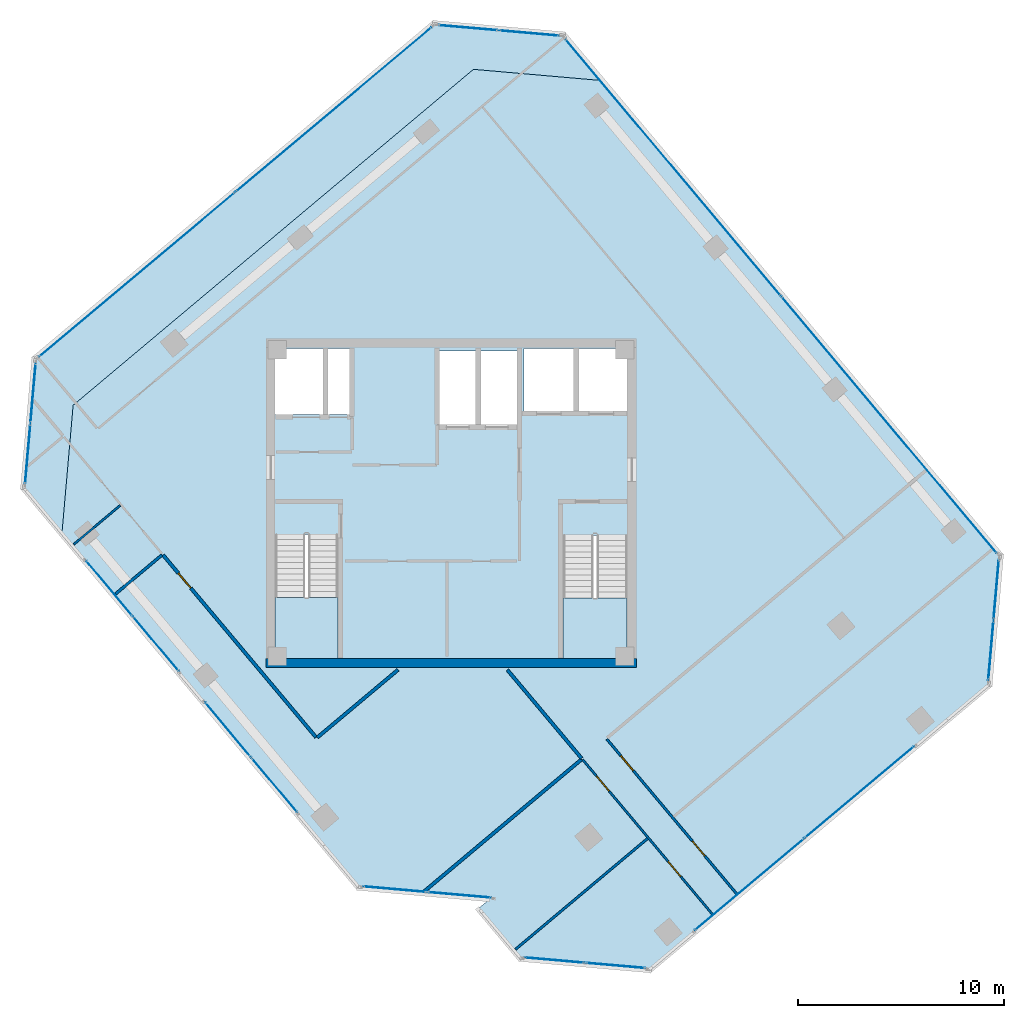
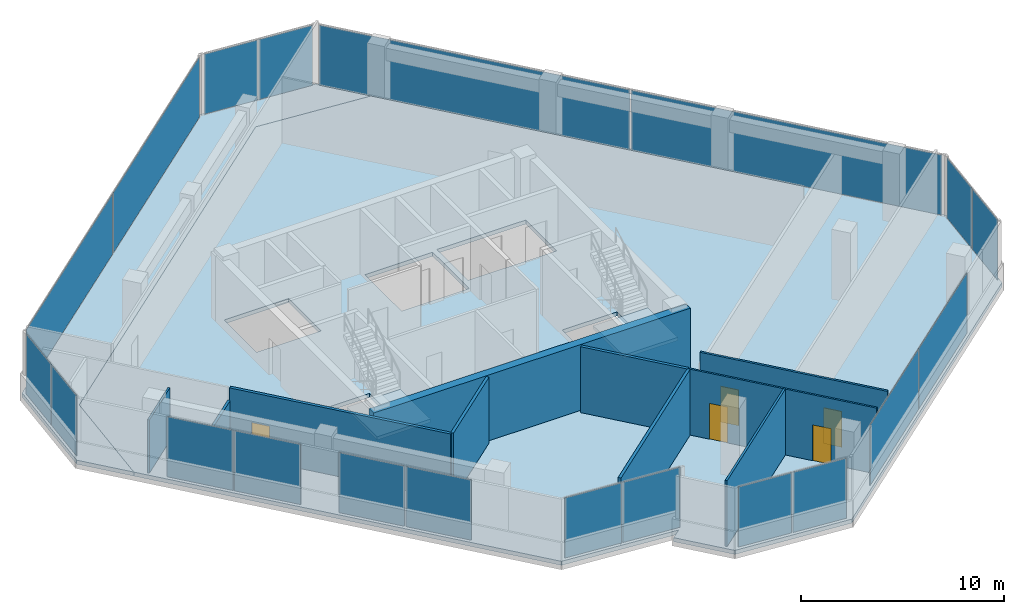
# One storey, part 12 of 17: 20 plates, 10 walls, 5 doors, 4 slabs, 5 openings, 12 elements without a shape of their own.
"""IFC4 building model written with IfcOpenShell, lengths in metres."""

from ifc_helpers import new_model, si_unit, direction, frame, frame_2d, origin, origin_2d, place, context, subcontext, project, spatial, polyline, rectangle, outline, extrude, source, transform, mapped, material, layer, layer_set, type_object, element, fill, aggregate, save


model = new_model("IFC4")

# Units and contexts
model_context = context("Model", 3, precision=1e-05, world=origin(), true_north=direction((0.0, 1.0)))
body_context = subcontext(model_context, "Body", "Model", "MODEL_VIEW")
ifc_project = project(units=[si_unit("LENGTHUNIT", "METRE"), si_unit("AREAUNIT", "SQUARE_METRE"), si_unit("VOLUMEUNIT", "CUBIC_METRE"), si_unit("PLANEANGLEUNIT", "RADIAN"), si_unit("MASSUNIT", "GRAM", prefix="KILO")], contexts=[model_context])

# Site, building, storey
site_placement = place(None, origin())
site = spatial("IfcSite", under=ifc_project, at=site_placement, CompositionType="ELEMENT")
building_placement = place(site_placement, origin())
building = spatial("IfcBuilding", under=site, at=building_placement, Name="Torre Montelarca", CompositionType="ELEMENT")
storey_placement = place(building_placement, frame((0.0, 0.0, 271.0)))
storey = spatial("IfcBuildingStorey", under=building, at=storey_placement, Name="L61", CompositionType="ELEMENT", Elevation=271.0)

# Slabs
ifc_material_1 = material(Name="Concrete C40/50", Category="concrete")
ifc_layer_1 = layer(ifc_material_1, 0.239990234375, Name="Concrete C40/50", Category="concrete")
ifc_layer_set_1 = layer_set([ifc_layer_1], Name="Concrete C40/50")
slab_type_1 = type_object("IfcSlabType", Name="SL-FLR-240", PredefinedType="FLOOR", material=ifc_layer_set_1)
slab_1_placement = place(storey_placement, frame((0.0, 0.0, -0.239990234375)))
element("IfcSlab", 1, at=slab_1_placement, inside=storey, type_object=slab_type_1, Name="L61 Structural Floor Slab", PredefinedType="FLOOR", context=body_context, shape_type="SweptSolid", body=[
    extrude(outline(polyline([(13.4716796875, 13.253662109375), (19.811279296875, 12.698974609375), (19.275146484375, 12.2490234375), (21.33203125, 9.797607421875), (27.671875, 9.2431640625), (44.218505859375, 23.127197265625), (44.77294921875, 29.467041015625), (25.425048828125, 52.52490234375), (19.08544921875, 53.07958984375), (-0.3720703125, 36.752685546875), (-0.9267578125, 30.4130859375), (13.4716796875, 13.253662109375)]), holes=[polyline([(26.550048828125, 24.449951171875), (23.43994140625, 24.449951171875), (23.43994140625, 30.429931640625), (26.550048828125, 30.429931640625), (26.550048828125, 24.449951171875)]), polyline([(12.5, 24.449951171875), (9.449951171875, 24.449951171875), (9.449951171875, 30.4599609375), (12.5, 30.4599609375), (12.5, 24.449951171875)]), polyline([(21.25, 39.39990234375), (21.25, 35.800048828125), (17.39990234375, 35.800048828125), (17.39990234375, 39.39990234375), (21.25, 39.39990234375)]), polyline([(13.1201171875, 36.300048828125), (9.449951171875, 36.300048828125), (9.449951171875, 39.5), (13.1201171875, 39.5), (13.1201171875, 36.300048828125)]), polyline([(26.60009765625, 36.449951171875), (21.550048828125, 36.449951171875), (21.550048828125, 39.5), (26.60009765625, 39.5), (26.60009765625, 36.449951171875)])]), origin(), (0.0, 0.0, 1.0), 0.239990234375),
])
slab_2_placement = place(storey_placement, frame((0.0, 0.0, -0.239990234375)))
element("IfcSlab", 2, at=slab_2_placement, inside=storey, type_object=slab_type_1, Name="L61 Sliding Tray Winter Garden Floor Slab W1", PredefinedType="FLOOR", context=body_context, shape_type="SweptSolid", body=[
    extrude(outline(polyline([(-0.9267578125, 30.4130859375), (-0.3720703125, 36.752685546875), (19.08544921875, 53.07958984375), (25.425048828125, 52.52490234375), (23.496826171875, 54.822998046875), (17.156982421875, 55.377685546875), (-2.300537109375, 39.05078125), (-2.855224609375, 32.711181640625), (-0.9267578125, 30.4130859375)])), origin(), (0.0, 0.0, 1.0), 0.239990234375),
])

# Stair, slab
stair_type_1 = type_object("IfcStairType", Name="ST-CORE-ST1", PredefinedType="HALF_TURN_STAIR", material=ifc_material_1)
stair_1_placement = place(storey_placement, origin())
stair_1 = element("IfcStair", 3, at=stair_1_placement, inside=storey, type_object=stair_type_1, Name="L61 Protected Exit Stair ST1", PredefinedType="HALF_TURN_STAIR")
ifc_layer_2 = layer(ifc_material_1, 0.199951171875, Name="Concrete C40/50", Category="concrete")
ifc_layer_set_2 = layer_set([ifc_layer_2], Name="Concrete C40/50")
slab_type_2 = type_object("IfcSlabType", Name="SL-ST-LAND-ST1", PredefinedType="LANDING", material=ifc_layer_set_2)
slab_3_placement = place(storey_placement, frame((0.0, 0.0, 1.89990234375)))
slab_3 = element("IfcSlab", 4, at=slab_3_placement, type_object=slab_type_2, Name="ST1 landing 1", PredefinedType="LANDING", context=body_context, shape_type="SweptSolid", body=[
    extrude(outline(polyline([(9.449951171875, 27.419921875), (9.449951171875, 24.449951171875), (12.5, 24.449951171875), (12.5, 27.419921875), (9.449951171875, 27.419921875)])), origin(), (0.0, 0.0, 1.0), 0.2001953125),
])
aggregate(stair_1, [slab_3])

stair_type_2 = type_object("IfcStairType", Name="ST-CORE-ST2", PredefinedType="HALF_TURN_STAIR", material=ifc_material_1)
stair_2_placement = place(storey_placement, origin())
stair_2 = element("IfcStair", 5, at=stair_2_placement, inside=storey, type_object=stair_type_2, Name="L61 Protected Exit Stair ST2", PredefinedType="HALF_TURN_STAIR")
ifc_layer_3 = layer(ifc_material_1, 0.199951171875, Name="Concrete C40/50", Category="concrete")
ifc_layer_set_3 = layer_set([ifc_layer_3], Name="Concrete C40/50")
slab_type_3 = type_object("IfcSlabType", Name="SL-ST-LAND-ST2", PredefinedType="LANDING", material=ifc_layer_set_3)
slab_4_placement = place(storey_placement, frame((0.0, 0.0, 1.89990234375)))
slab_4 = element("IfcSlab", 6, at=slab_4_placement, type_object=slab_type_3, Name="ST2 landing 1", PredefinedType="LANDING", context=body_context, shape_type="SweptSolid", body=[
    extrude(outline(polyline([(23.43994140625, 27.389892578125), (23.43994140625, 24.449951171875), (26.550048828125, 24.449951171875), (26.550048828125, 27.389892578125), (23.43994140625, 27.389892578125)])), origin(), (0.0, 0.0, 1.0), 0.2001953125),
])
aggregate(stair_2, [slab_4])

# Curtain wall, plates
ifc_material_2 = material(Name="Insulated low-E laminated glass", Category="glass")
curtain_wall_type = type_object("IfcCurtainWallType", Name="CW-SYS-Z3", PredefinedType="USERDEFINED", material=ifc_material_2)
curtain_wall_1_placement = place(storey_placement, origin())
curtain_wall_1 = element("IfcCurtainWall", 7, at=curtain_wall_1_placement, inside=storey, type_object=curtain_wall_type, Name="L61 Curtain Wall Run CW-T3-L61-E02-B1", ObjectType="UNITISED GLAZING", PredefinedType="USERDEFINED")
ifc_layer_4 = layer(ifc_material_2, 0.031982421875, Name="Insulated low-E laminated glass", Category="glass")
ifc_layer_set_4 = layer_set([ifc_layer_4], Name="Insulated low-E laminated glass")
plate_type = type_object("IfcPlateType", Name="CWP-GLZ-32", PredefinedType="CURTAIN_PANEL", material=ifc_layer_set_4)
shared_shape_1 = source(origin(), body_context, "Body", "SweptSolid", [
    extrude(rectangle(XDim=3.08740234375, YDim=0.031982421875, at=origin_2d()), origin(), (0.0, 0.0, 1.0), 3.610107421875),
])
plate_1_placement = place(storey_placement, frame((15.2607421875, 13.227783203125, 0.05517578125), z_axis=(0.0, 0.0, 1.0), x_axis=(0.996193123861, -0.087173734413, 0.0)))
plate_1 = element("IfcPlate", 8, at=plate_1_placement, type_object=plate_type, Name="CW panel 1.1", PredefinedType="CURTAIN_PANEL", context=body_context, shape_type="MappedRepresentation", body=[
    mapped(shared_shape_1, transform((0.0, 0.0, 0.0), scale=1.0)),
])
plate_2_placement = place(storey_placement, frame((18.4111328125, 12.951904296875, 0.05517578125), z_axis=(0.0, 0.0, 1.0), x_axis=(0.996193123861, -0.087173734413, 0.0)))
plate_2 = element("IfcPlate", 9, at=plate_2_placement, type_object=plate_type, Name="CW panel 2.1", PredefinedType="CURTAIN_PANEL", context=body_context, shape_type="MappedRepresentation", body=[
    mapped(shared_shape_1, transform((0.0, 0.0, 0.0), scale=1.0)),
])
aggregate(curtain_wall_1, [plate_1, plate_2])

curtain_wall_2_placement = place(storey_placement, origin())
curtain_wall_2 = element("IfcCurtainWall", 10, at=curtain_wall_2_placement, inside=storey, type_object=curtain_wall_type, Name="L61 Curtain Wall Run CW-T3-L61-E05-B1", ObjectType="UNITISED GLAZING", PredefinedType="USERDEFINED")
shared_shape_2 = source(origin(), body_context, "Body", "SweptSolid", [
    extrude(rectangle(XDim=2.903564453125, YDim=0.031982421875, at=origin_2d()), origin(), (0.0, 0.0, 1.0), 3.610107421875),
])
plate_3_placement = place(storey_placement, frame((23.02978515625, 9.77978515625, 0.05517578125), z_axis=(0.0, 0.0, 1.0), x_axis=(0.996193789473, -0.087166127681, 0.0)))
plate_3 = element("IfcPlate", 11, at=plate_3_placement, type_object=plate_type, Name="CW panel 1.1", PredefinedType="CURTAIN_PANEL", context=body_context, shape_type="MappedRepresentation", body=[
    mapped(shared_shape_2, transform((0.0, 0.0, 0.0), scale=1.0)),
])
plate_4_placement = place(storey_placement, frame((25.996826171875, 9.52001953125, 0.05517578125), z_axis=(0.0, 0.0, 1.0), x_axis=(0.996193789473, -0.087166127681, 0.0)))
plate_4 = element("IfcPlate", 12, at=plate_4_placement, type_object=plate_type, Name="CW panel 2.1", PredefinedType="CURTAIN_PANEL", context=body_context, shape_type="MappedRepresentation", body=[
    mapped(shared_shape_2, transform((0.0, 0.0, 0.0), scale=1.0)),
])
aggregate(curtain_wall_2, [plate_3, plate_4])

curtain_wall_3_placement = place(storey_placement, origin())
curtain_wall_3 = element("IfcCurtainWall", 13, at=curtain_wall_3_placement, inside=storey, type_object=curtain_wall_type, Name="L61 Curtain Wall Run CW-T3-L61-E07-B1", ObjectType="UNITISED GLAZING", PredefinedType="USERDEFINED")
plate_5_placement = place(storey_placement, frame((44.236328125, 24.824951171875, 0.05517578125), z_axis=(0.0, 0.0, 1.0), x_axis=(0.087166127681, 0.996193789473, 0.0)))
plate_5 = element("IfcPlate", 14, at=plate_5_placement, type_object=plate_type, Name="CW panel 1.1", PredefinedType="CURTAIN_PANEL", context=body_context, shape_type="MappedRepresentation", body=[
    mapped(shared_shape_2, transform((0.0, 0.0, 0.0), scale=1.0)),
])
plate_6_placement = place(storey_placement, frame((44.49609375, 27.792236328125, 0.05517578125), z_axis=(0.0, 0.0, 1.0), x_axis=(0.087166127681, 0.996193789473, 0.0)))
plate_6 = element("IfcPlate", 15, at=plate_6_placement, type_object=plate_type, Name="CW panel 2.1", PredefinedType="CURTAIN_PANEL", context=body_context, shape_type="MappedRepresentation", body=[
    mapped(shared_shape_2, transform((0.0, 0.0, 0.0), scale=1.0)),
])
aggregate(curtain_wall_3, [plate_5, plate_6])

curtain_wall_4_placement = place(storey_placement, origin())
curtain_wall_4 = element("IfcCurtainWall", 16, at=curtain_wall_4_placement, inside=storey, type_object=curtain_wall_type, Name="L61 Curtain Wall Run CW-T3-L61-E09-B1", ObjectType="UNITISED GLAZING", PredefinedType="USERDEFINED")
plate_7_placement = place(storey_placement, frame((21.79931640625, 54.841064453125, 0.05517578125), z_axis=(0.0, 0.0, 1.0), x_axis=(-0.996193915427, 0.087164688188, 0.0)))
plate_7 = element("IfcPlate", 17, at=plate_7_placement, type_object=plate_type, Name="CW panel 1.1", PredefinedType="CURTAIN_PANEL", context=body_context, shape_type="MappedRepresentation", body=[
    mapped(shared_shape_2, transform((0.0, 0.0, 0.0), scale=1.0)),
])
plate_8_placement = place(storey_placement, frame((18.831787109375, 55.100830078125, 0.05517578125), z_axis=(0.0, 0.0, 1.0), x_axis=(-0.996193915427, 0.087164688188, 0.0)))
plate_8 = element("IfcPlate", 18, at=plate_8_placement, type_object=plate_type, Name="CW panel 2.1", PredefinedType="CURTAIN_PANEL", context=body_context, shape_type="MappedRepresentation", body=[
    mapped(shared_shape_2, transform((0.0, 0.0, 0.0), scale=1.0)),
])
aggregate(curtain_wall_4, [plate_7, plate_8])

curtain_wall_5_placement = place(storey_placement, origin())
curtain_wall_5 = element("IfcCurtainWall", 19, at=curtain_wall_5_placement, inside=storey, type_object=curtain_wall_type, Name="L61 Curtain Wall Run CW-T3-L61-E11-B1", ObjectType="UNITISED GLAZING", PredefinedType="USERDEFINED")
plate_9_placement = place(storey_placement, frame((-2.318603515625, 37.353271484375, 0.05517578125), z_axis=(0.0, 0.0, 1.0), x_axis=(-0.087182579501, -0.996192349816, 0.0)))
plate_9 = element("IfcPlate", 20, at=plate_9_placement, type_object=plate_type, Name="CW panel 1.1", PredefinedType="CURTAIN_PANEL", context=body_context, shape_type="MappedRepresentation", body=[
    mapped(shared_shape_2, transform((0.0, 0.0, 0.0), scale=1.0)),
])
plate_10_placement = place(storey_placement, frame((-2.578125, 34.385986328125, 0.05517578125), z_axis=(0.0, 0.0, 1.0), x_axis=(-0.087182579501, -0.996192349816, 0.0)))
plate_10 = element("IfcPlate", 21, at=plate_10_placement, type_object=plate_type, Name="CW panel 2.1", PredefinedType="CURTAIN_PANEL", context=body_context, shape_type="MappedRepresentation", body=[
    mapped(shared_shape_2, transform((0.0, 0.0, 0.0), scale=1.0)),
])
aggregate(curtain_wall_5, [plate_9, plate_10])

curtain_wall_6_placement = place(storey_placement, origin())
curtain_wall_6 = element("IfcCurtainWall", 22, at=curtain_wall_6_placement, inside=storey, type_object=curtain_wall_type, Name="L61 Curtain Wall Run CW-T3-L61-E10-B1", ObjectType="UNITISED GLAZING", PredefinedType="USERDEFINED")
shared_shape_3 = source(origin(), body_context, "Body", "SweptSolid", [
    extrude(rectangle(XDim=12.421630859375, YDim=0.031982421875, at=origin_2d()), origin(), (0.0, 0.0, 1.0), 3.610107421875),
])
plate_11_placement = place(storey_placement, frame((12.29833984375, 51.131103515625, 0.05517578125), z_axis=(0.0, 0.0, 1.0), x_axis=(-0.766043772472, -0.642788408931, 0.0)))
plate_11 = element("IfcPlate", 23, at=plate_11_placement, type_object=plate_type, Name="CW panel 1.1", PredefinedType="CURTAIN_PANEL", context=body_context, shape_type="MappedRepresentation", body=[
    mapped(shared_shape_3, transform((0.0, 0.0, 0.0), scale=1.0)),
])
plate_12_placement = place(storey_placement, frame((2.725341796875, 43.098388671875, 0.05517578125), z_axis=(0.0, 0.0, 1.0), x_axis=(-0.766043772472, -0.642788408931, 0.0)))
plate_12 = element("IfcPlate", 24, at=plate_12_placement, type_object=plate_type, Name="CW panel 2.1", PredefinedType="CURTAIN_PANEL", context=body_context, shape_type="MappedRepresentation", body=[
    mapped(shared_shape_3, transform((0.0, 0.0, 0.0), scale=1.0)),
])
aggregate(curtain_wall_6, [plate_11, plate_12])

curtain_wall_7_placement = place(storey_placement, origin())
curtain_wall_7 = element("IfcCurtainWall", 25, at=curtain_wall_7_placement, inside=storey, type_object=curtain_wall_type, Name="L61 Curtain Wall Run CW-T3-L61-E01-B1", ObjectType="UNITISED GLAZING", PredefinedType="USERDEFINED")
shared_shape_4 = source(origin(), body_context, "Body", "SweptSolid", [
    extrude(rectangle(XDim=3.45751953125, YDim=0.031982421875, at=origin_2d()), origin(), (0.0, 0.0, 1.0), 3.610107421875),
])
plate_13_placement = place(storey_placement, frame((1.3798828125, 27.8662109375, 0.05517578125), z_axis=(0.0, 0.0, 1.0), x_axis=(0.642791272604, -0.766041369551, 0.0)))
plate_13 = element("IfcPlate", 26, at=plate_13_placement, type_object=plate_type, Name="CW panel 1.1", PredefinedType="CURTAIN_PANEL", context=body_context, shape_type="MappedRepresentation", body=[
    mapped(shared_shape_4, transform((0.0, 0.0, 0.0), scale=1.0)),
])
plate_14_placement = place(storey_placement, frame((3.650634765625, 25.16015625, 0.05517578125), z_axis=(0.0, 0.0, 1.0), x_axis=(0.642791272604, -0.766041369551, 0.0)))
plate_14 = element("IfcPlate", 27, at=plate_14_placement, type_object=plate_type, Name="CW panel 2.1", PredefinedType="CURTAIN_PANEL", context=body_context, shape_type="MappedRepresentation", body=[
    mapped(shared_shape_4, transform((0.0, 0.0, 0.0), scale=1.0)),
])
aggregate(curtain_wall_7, [plate_13, plate_14])

curtain_wall_8_placement = place(storey_placement, origin())
curtain_wall_8 = element("IfcCurtainWall", 28, at=curtain_wall_8_placement, inside=storey, type_object=curtain_wall_type, Name="L61 Curtain Wall Run CW-T3-L61-E06-B1", ObjectType="UNITISED GLAZING", PredefinedType="USERDEFINED")
shared_shape_5 = source(origin(), body_context, "Body", "SweptSolid", [
    extrude(rectangle(XDim=6.907470703125, YDim=0.031982421875, at=origin_2d()), origin(), (0.0, 0.0, 1.0), 3.610107421875),
])
plate_15_placement = place(storey_placement, frame((32.49755859375, 13.462158203125, 0.05517578125), z_axis=(0.0, 0.0, 1.0), x_axis=(0.766043894364, 0.642788263666, 0.0)))
plate_15 = element("IfcPlate", 29, at=plate_15_placement, type_object=plate_type, Name="CW panel 1.1", PredefinedType="CURTAIN_PANEL", context=body_context, shape_type="MappedRepresentation", body=[
    mapped(shared_shape_5, transform((0.0, 0.0, 0.0), scale=1.0)),
])
plate_16_placement = place(storey_placement, frame((37.846435546875, 17.950439453125, 0.05517578125), z_axis=(0.0, 0.0, 1.0), x_axis=(0.766043894364, 0.642788263666, 0.0)))
plate_16 = element("IfcPlate", 30, at=plate_16_placement, type_object=plate_type, Name="CW panel 2.1", PredefinedType="CURTAIN_PANEL", context=body_context, shape_type="MappedRepresentation", body=[
    mapped(shared_shape_5, transform((0.0, 0.0, 0.0), scale=1.0)),
])
aggregate(curtain_wall_8, [plate_15, plate_16])

curtain_wall_9_placement = place(storey_placement, origin())
curtain_wall_9 = element("IfcCurtainWall", 31, at=curtain_wall_9_placement, inside=storey, type_object=curtain_wall_type, Name="L61 Curtain Wall Run CW-T3-L61-E08-B1", ObjectType="UNITISED GLAZING", PredefinedType="USERDEFINED")
shared_shape_6 = source(origin(), body_context, "Body", "SweptSolid", [
    extrude(rectangle(XDim=16.271728515625, YDim=0.031982421875, at=origin_2d()), origin(), (0.0, 0.0, 1.0), 3.610107421875),
])
plate_17_placement = place(storey_placement, frame((39.2890625, 35.80029296875, 0.05517578125), z_axis=(0.0, 0.0, 1.0), x_axis=(-0.642786195969, 0.766045629367, 0.0)))
plate_17 = element("IfcPlate", 32, at=plate_17_placement, type_object=plate_type, Name="CW panel 1.1", PredefinedType="CURTAIN_PANEL", context=body_context, shape_type="MappedRepresentation", body=[
    mapped(shared_shape_6, transform((0.0, 0.0, 0.0), scale=1.0)),
])
plate_18_placement = place(storey_placement, frame((28.781494140625, 48.32275390625, 0.05517578125), z_axis=(0.0, 0.0, 1.0), x_axis=(-0.642786195969, 0.766045629367, 0.0)))
plate_18 = element("IfcPlate", 33, at=plate_18_placement, type_object=plate_type, Name="CW panel 2.1", PredefinedType="CURTAIN_PANEL", context=body_context, shape_type="MappedRepresentation", body=[
    mapped(shared_shape_6, transform((0.0, 0.0, 0.0), scale=1.0)),
])
aggregate(curtain_wall_9, [plate_17, plate_18])

curtain_wall_10_placement = place(storey_placement, origin())
curtain_wall_10 = element("IfcCurtainWall", 34, at=curtain_wall_10_placement, inside=storey, type_object=curtain_wall_type, Name="L61 Curtain Wall Run CW-T3-L61-E01-B2", ObjectType="UNITISED GLAZING", PredefinedType="USERDEFINED")
shared_shape_7 = source(origin(), body_context, "Body", "SweptSolid", [
    extrude(rectangle(XDim=3.432373046875, YDim=0.031982421875, at=origin_2d()), origin(), (0.0, 0.0, 1.0), 3.610107421875),
])
plate_19_placement = place(storey_placement, frame((7.156982421875, 20.9814453125, 0.05517578125), z_axis=(0.0, 0.0, 1.0), x_axis=(0.642794403532, -0.766038742354, 0.0)))
plate_19 = element("IfcPlate", 35, at=plate_19_placement, type_object=plate_type, Name="CW panel 1.1", PredefinedType="CURTAIN_PANEL", context=body_context, shape_type="MappedRepresentation", body=[
    mapped(shared_shape_7, transform((0.0, 0.0, 0.0), scale=1.0)),
])
plate_20_placement = place(storey_placement, frame((9.41162109375, 18.29443359375, 0.05517578125), z_axis=(0.0, 0.0, 1.0), x_axis=(0.642794403532, -0.766038742354, 0.0)))
plate_20 = element("IfcPlate", 36, at=plate_20_placement, type_object=plate_type, Name="CW panel 2.1", PredefinedType="CURTAIN_PANEL", context=body_context, shape_type="MappedRepresentation", body=[
    mapped(shared_shape_7, transform((0.0, 0.0, 0.0), scale=1.0)),
])
aggregate(curtain_wall_10, [plate_19, plate_20])

# Wall
ifc_material_3 = material(Name="Concrete C55/67", Category="concrete")
ifc_layer_5 = layer(ifc_material_3, 0.449951171875, Name="Concrete C55/67", Category="concrete")
ifc_layer_set_5 = layer_set([ifc_layer_5], Name="Concrete C55/67")
wall_type_1 = type_object("IfcWallType", Name="CW-SHEAR-450", PredefinedType="SHEAR", material=ifc_layer_set_5)
wall_1_placement = place(storey_placement, frame((9.0, 24.22509765625, 0.0), z_axis=(0.0, 0.0, 1.0), x_axis=(1.0, 0.0, 0.0)))
element("IfcWall", 37, at=wall_1_placement, inside=storey, type_object=wall_type_1, Name="L61 Core Shear Wall CW-S1", PredefinedType="SHEAR", context=body_context, shape_type="SweptSolid", body=[
    extrude(rectangle(XDim=18.0, YDim=0.449951171875, at=frame_2d((9.0, 0.0))), origin(), (0.0, 0.0, 1.0), 3.9599609375),
])

# Wall, opening, door
ifc_material_4 = material(Name="Gypsum plasterboard on steel stud", Category="steel")
ifc_layer_6 = layer(ifc_material_4, 0.159912109375, Name="Gypsum plasterboard on steel stud", Category="steel")
ifc_layer_set_6 = layer_set([ifc_layer_6], Name="Gypsum plasterboard on steel stud")
wall_type_2 = type_object("IfcWallType", Name="PW-FIRE-160", PredefinedType="PARTITIONING", material=ifc_layer_set_6)
wall_2_placement = place(storey_placement, frame((4.001953125, 29.470703125, 0.0), z_axis=(0.0, 0.0, 1.0), x_axis=(0.642802048813, -0.766032327021, 0.0)))
wall_2 = element("IfcWall", 38, at=wall_2_placement, inside=storey, type_object=wall_type_2, Name="L61 Interior Partition W-L61-SOCCN", PredefinedType="PARTITIONING", context=body_context, shape_type="SweptSolid", body=[
    extrude(rectangle(XDim=11.570068359375, YDim=0.159912109375, at=frame_2d((5.78515625, 0.0))), origin(), (0.0, 0.0, 1.0), 3.9599609375),
])
opening_1_placement = place(wall_2_placement, frame((1.14990234375, 0.0, 0.0)))
opening_1 = element("IfcOpeningElement", 39, at=opening_1_placement, cuts=wall_2, Name="Opening FD-095", PredefinedType="OPENING", context=body_context, shape_type="SweptSolid", body=[
    extrude(rectangle(XDim=0.949951171875, YDim=2.14990234375, at=frame_2d((0.47509765625, 1.074951171875))), frame((0.0, 0.08984375, 0.0), z_axis=(0.0, -1.0, 0.0), x_axis=(1.0, 0.0, 0.0)), (0.0, 0.0, 1.0), 0.179931640625),
])
ifc_material_5 = material(Name="Timber fire-rated room door", Category="wood")
door_type_1 = type_object("IfcDoorType", Name="DR-FIRE-095", OperationType="NOTDEFINED", PredefinedType="DOOR", material=ifc_material_5)
shared_shape_8 = source(origin(), body_context, "Body", "SweptSolid", [
    extrude(rectangle(XDim=0.949951171875, YDim=2.14990234375, at=frame_2d((0.47509765625, 1.074951171875))), frame((0.0, 0.02490234375, 0.0), z_axis=(0.0, -1.0, 0.0), x_axis=(1.0, 0.0, 0.0)), (0.0, 0.0, 1.0), 0.050048828125),
])
door_1_placement = place(opening_1_placement, origin())
door_1 = element("IfcDoor", 40, at=door_1_placement, inside=storey, type_object=door_type_1, Name="L61 Interior Door 07", OperationType="SINGLE_SWING_RIGHT", OverallHeight=2.14990234375, OverallWidth=0.949951171875, PredefinedType="DOOR", context=body_context, shape_type="MappedRepresentation", body=[
    mapped(shared_shape_8, transform((0.0, 0.0, 0.0), scale=1.0)),
])
fill(opening_1, door_1)

# Walls
wall_3_placement = place(storey_placement, frame((11.495361328125, 20.602783203125, 0.0), z_axis=(0.0, 0.0, 1.0), x_axis=(0.766059769702, 0.642769343734, 0.0)))
element("IfcWall", 41, at=wall_3_placement, inside=storey, type_object=wall_type_2, Name="L61 Interior Partition W-L61-SOCCW3", PredefinedType="PARTITIONING", context=body_context, shape_type="SweptSolid", body=[
    extrude(rectangle(XDim=5.120849609375, YDim=0.159912109375, at=frame_2d((2.560546875, 0.0))), origin(), (0.0, 0.0, 1.0), 3.9599609375),
])
wall_4_placement = place(storey_placement, frame((20.734375, 23.889404296875, 0.0), z_axis=(0.0, 0.0, 1.0), x_axis=(0.642758145725, -0.766069165353, 0.0)))
element("IfcWall", 42, at=wall_4_placement, inside=storey, type_object=wall_type_2, Name="L61 Interior Partition W-L61-SOCCN3", PredefinedType="PARTITIONING", context=body_context, shape_type="SweptSolid", body=[
    extrude(rectangle(XDim=5.60888671875, YDim=0.159912109375, at=frame_2d((2.804443359375, 0.0))), origin(), (0.0, 0.0, 1.0), 3.9599609375),
])
wall_5_placement = place(storey_placement, frame((16.711181640625, 13.13916015625, 0.0), z_axis=(0.0, 0.0, 1.0), x_axis=(0.766041122188, 0.642791567398, 0.0)))
element("IfcWall", 43, at=wall_5_placement, inside=storey, type_object=wall_type_2, Name="L61 Interior Partition W-L61-ECS", PredefinedType="PARTITIONING", context=body_context, shape_type="SweptSolid", body=[
    extrude(rectangle(XDim=9.951904296875, YDim=0.159912109375, at=frame_2d((4.97607421875, 0.0))), origin(), (0.0, 0.0, 1.0), 3.9599609375),
])
ifc_material_6 = material(Name="Acoustic laminated glass partition", Category="glass")
ifc_layer_7 = layer(ifc_material_6, 0.10009765625, Name="Acoustic laminated glass partition", Category="glass")
ifc_layer_set_7 = layer_set([ifc_layer_7], Name="Acoustic laminated glass partition")
wall_type_3 = type_object("IfcWallType", Name="PW-GLAZ-100", PredefinedType="PARTITIONING", material=ifc_layer_set_7)
wall_6_placement = place(storey_placement, frame((-0.339111328125, 29.992431640625, 0.0), z_axis=(0.0, 0.0, 1.0), x_axis=(0.766025914603, 0.642809690465, 0.0)))
element("IfcWall", 44, at=wall_6_placement, inside=storey, type_object=wall_type_3, Name="L61 Interior Partition W-L61-WCD", PredefinedType="PARTITIONING", context=body_context, shape_type="SweptSolid", body=[
    extrude(rectangle(XDim=2.9501953125, YDim=0.10009765625, at=frame_2d((1.47509765625, 0.0))), origin(), (0.0, 0.0, 1.0), 3.195068359375),
])

# Wall, openings, doors
wall_7_placement = place(storey_placement, frame((24.39111328125, 19.53125, 0.0), z_axis=(0.0, 0.0, 1.0), x_axis=(0.642797456481, -0.76603618057, 0.0)))
wall_7 = element("IfcWall", 45, at=wall_7_placement, inside=storey, type_object=wall_type_3, Name="L61 Interior Partition W-L61-SE-N", PredefinedType="PARTITIONING", context=body_context, shape_type="SweptSolid", body=[
    extrude(rectangle(XDim=9.81005859375, YDim=0.10009765625, at=frame_2d((4.905029296875, 0.0))), origin(), (0.0, 0.0, 1.0), 3.9599609375),
])
opening_2_placement = place(wall_7_placement, frame((1.050048828125, 0.0, 0.0)))
opening_2 = element("IfcOpeningElement", 46, at=opening_2_placement, cuts=wall_7, Name="Opening ID-095", PredefinedType="OPENING", context=body_context, shape_type="SweptSolid", body=[
    extrude(rectangle(XDim=0.949951171875, YDim=2.14990234375, at=frame_2d((0.47509765625, 1.074951171875))), frame((0.0, 0.06005859375, 0.0), z_axis=(0.0, -1.0, 0.0), x_axis=(1.0, 0.0, 0.0)), (0.0, 0.0, 1.0), 0.1201171875),
])
opening_3_placement = place(wall_7_placement, frame((6.4599609375, 0.0, 0.0)))
opening_3 = element("IfcOpeningElement", 47, at=opening_3_placement, cuts=wall_7, Name="Opening ID-095", PredefinedType="OPENING", context=body_context, shape_type="SweptSolid", body=[
    extrude(rectangle(XDim=0.949951171875, YDim=2.14990234375, at=frame_2d((0.47509765625, 1.074951171875))), frame((0.0, 0.06005859375, 0.0), z_axis=(0.0, -1.0, 0.0), x_axis=(1.0, 0.0, 0.0)), (0.0, 0.0, 1.0), 0.1201171875),
])
ifc_material_7 = material(Name="Hardwood acoustic timber veneer", Category="wood")
door_type_2 = type_object("IfcDoorType", Name="DR-INT-095", OperationType="NOTDEFINED", PredefinedType="DOOR", material=ifc_material_7)
shared_shape_9 = source(origin(), body_context, "Body", "SweptSolid", [
    extrude(rectangle(XDim=0.949951171875, YDim=2.14990234375, at=frame_2d((0.47509765625, 1.074951171875))), frame((0.0, 0.02490234375, 0.0), z_axis=(0.0, -1.0, 0.0), x_axis=(1.0, 0.0, 0.0)), (0.0, 0.0, 1.0), 0.050048828125),
])
door_2_placement = place(opening_2_placement, origin())
door_2 = element("IfcDoor", 48, at=door_2_placement, inside=storey, type_object=door_type_2, Name="L61 Interior Door 12", OperationType="SINGLE_SWING_LEFT", OverallHeight=2.14990234375, OverallWidth=0.949951171875, PredefinedType="DOOR", context=body_context, shape_type="MappedRepresentation", body=[
    mapped(shared_shape_9, transform((0.0, 0.0, 0.0), scale=1.0)),
])
fill(opening_2, door_2)
door_3_placement = place(opening_3_placement, origin())
door_3 = element("IfcDoor", 49, at=door_3_placement, inside=storey, type_object=door_type_2, Name="L61 Interior Door 13", OperationType="SINGLE_SWING_RIGHT", OverallHeight=2.14990234375, OverallWidth=0.949951171875, PredefinedType="DOOR", context=body_context, shape_type="MappedRepresentation", body=[
    mapped(shared_shape_9, transform((0.0, 0.0, 0.0), scale=1.0)),
])
fill(opening_3, door_3)

ifc_layer_8 = layer(ifc_material_4, 0.114990234375, Name="Gypsum plasterboard on steel stud", Category="steel")
ifc_layer_set_8 = layer_set([ifc_layer_8], Name="Gypsum plasterboard on steel stud")
wall_type_4 = type_object("IfcWallType", Name="PW-PART-115", PredefinedType="PARTITIONING", material=ifc_layer_set_8)
wall_8_placement = place(storey_placement, frame((25.57080078125, 20.521240234375, 0.0), z_axis=(0.0, 0.0, 1.0), x_axis=(0.64278520229, -0.766046463158, 0.0)))
wall_8 = element("IfcWall", 50, at=wall_8_placement, inside=storey, type_object=wall_type_4, Name="L61 Interior Partition W-L61-NE-S", PredefinedType="PARTITIONING", context=body_context, shape_type="SweptSolid", body=[
    extrude(rectangle(XDim=9.810302734375, YDim=0.114990234375, at=frame_2d((4.9052734375, 0.0))), origin(), (0.0, 0.0, 1.0), 3.9599609375),
])
opening_4_placement = place(wall_8_placement, frame((1.050048828125, 0.0, 0.0)))
opening_4 = element("IfcOpeningElement", 51, at=opening_4_placement, cuts=wall_8, Name="Opening ID-095", PredefinedType="OPENING", context=body_context, shape_type="SweptSolid", body=[
    extrude(rectangle(XDim=0.949951171875, YDim=2.14990234375, at=frame_2d((0.47509765625, 1.074951171875))), frame((0.0, 0.0673828125, 0.0), z_axis=(0.0, -1.0, 0.0), x_axis=(1.0, 0.0, 0.0)), (0.0, 0.0, 1.0), 0.135009765625),
])
opening_5_placement = place(wall_8_placement, frame((6.4599609375, 0.0, 0.0)))
opening_5 = element("IfcOpeningElement", 52, at=opening_5_placement, cuts=wall_8, Name="Opening ID-095", PredefinedType="OPENING", context=body_context, shape_type="SweptSolid", body=[
    extrude(rectangle(XDim=0.949951171875, YDim=2.14990234375, at=frame_2d((0.47509765625, 1.074951171875))), frame((0.0, 0.0673828125, 0.0), z_axis=(0.0, -1.0, 0.0), x_axis=(1.0, 0.0, 0.0)), (0.0, 0.0, 1.0), 0.135009765625),
])
door_4_placement = place(opening_4_placement, origin())
door_4 = element("IfcDoor", 53, at=door_4_placement, inside=storey, type_object=door_type_2, Name="L61 Interior Door 10", OperationType="SINGLE_SWING_LEFT", OverallHeight=2.14990234375, OverallWidth=0.949951171875, PredefinedType="DOOR", context=body_context, shape_type="MappedRepresentation", body=[
    mapped(shared_shape_9, transform((0.0, 0.0, 0.0), scale=1.0)),
])
fill(opening_4, door_4)
door_5_placement = place(opening_5_placement, origin())
door_5 = element("IfcDoor", 54, at=door_5_placement, inside=storey, type_object=door_type_2, Name="L61 Interior Door 11", OperationType="SINGLE_SWING_RIGHT", OverallHeight=2.14990234375, OverallWidth=0.949951171875, PredefinedType="DOOR", context=body_context, shape_type="MappedRepresentation", body=[
    mapped(shared_shape_9, transform((0.0, 0.0, 0.0), scale=1.0)),
])
fill(opening_5, door_5)

# Walls
wall_9_placement = place(storey_placement, frame((21.1357421875, 10.311767578125, 0.0), z_axis=(0.0, 0.0, 1.0), x_axis=(0.766048541695, 0.642782725162, 0.0)))
element("IfcWall", 55, at=wall_9_placement, inside=storey, type_object=wall_type_4, Name="L61 Interior Partition W-L61-SEDIV-1", PredefinedType="PARTITIONING", context=body_context, shape_type="SweptSolid", body=[
    extrude(rectangle(XDim=8.3798828125, YDim=0.114990234375, at=frame_2d((4.18994140625, 0.0))), origin(), (0.0, 0.0, 1.0), 3.9599609375),
])
ifc_layer_9 = layer(ifc_material_4, 0.135009765625, Name="Gypsum plasterboard on steel stud", Category="steel")
ifc_layer_set_9 = layer_set([ifc_layer_9], Name="Gypsum plasterboard on steel stud")
wall_type_5 = type_object("IfcWallType", Name="PW-PART-135", PredefinedType="PARTITIONING", material=ifc_layer_set_9)
wall_10_placement = place(storey_placement, frame((1.685791015625, 27.57958984375, 0.0), z_axis=(0.0, 0.0, 1.0), x_axis=(0.766107411761, 0.642712559116, 0.0)))
element("IfcWall", 56, at=wall_10_placement, inside=storey, type_object=wall_type_5, Name="L61 Interior Partition W-L61-SWCDIV", PredefinedType="PARTITIONING", context=body_context, shape_type="SweptSolid", body=[
    extrude(rectangle(XDim=2.949951171875, YDim=0.135009765625, at=frame_2d((1.47509765625, 0.0))), origin(), (0.0, 0.0, 1.0), 3.195068359375),
])

save(model, "model.ifc")
